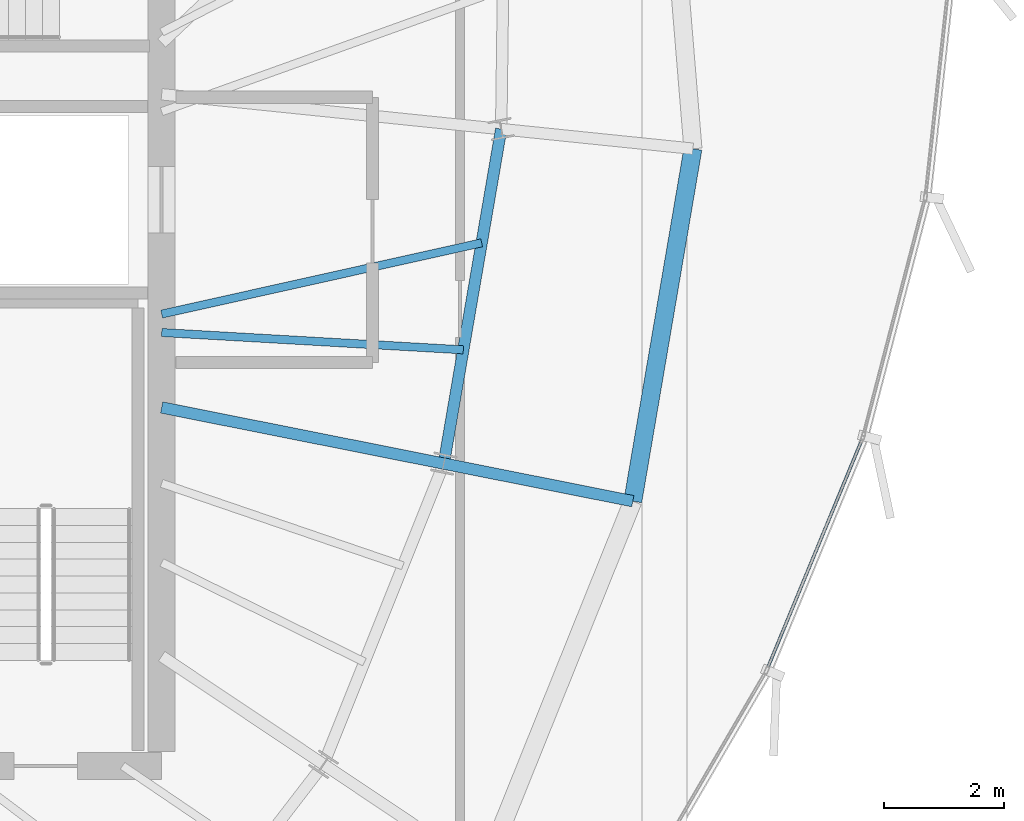
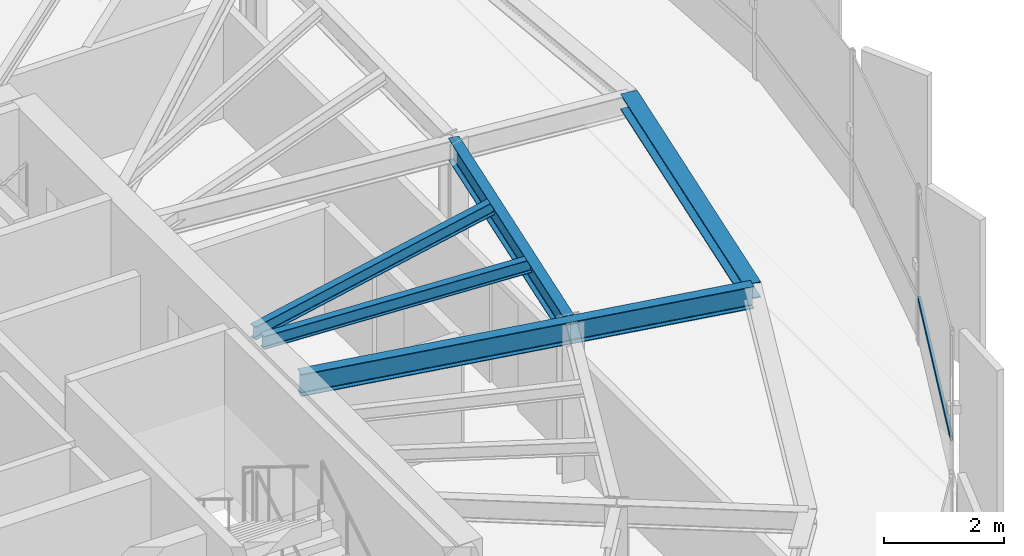
# One storey, part 15 of 36: 6 beams, 1 member, 1 element without a shape of its own.
"""IFC4 building model written with IfcOpenShell, lengths in metres."""

from ifc_helpers import new_model, si_unit, direction, frame, origin, origin_2d, place, context, subcontext, project, spatial, hollow_rectangle, i_section, extrude, source, transform, mapped, material, layer, layer_set, material_profile, profile_set, type_object, element, aggregate, save


model = new_model("IFC4")

# Units and contexts
model_context = context("Model", 3, precision=1e-05, world=origin(), true_north=direction((0.0, 1.0)))
body_context = subcontext(model_context, "Body", "Model", "MODEL_VIEW")
ifc_project = project(units=[si_unit("LENGTHUNIT", "METRE"), si_unit("AREAUNIT", "SQUARE_METRE"), si_unit("VOLUMEUNIT", "CUBIC_METRE"), si_unit("PLANEANGLEUNIT", "RADIAN"), si_unit("MASSUNIT", "GRAM", prefix="KILO"), si_unit("THERMODYNAMICTEMPERATUREUNIT", "KELVIN")], contexts=[model_context])

# Site, building, storey
site_placement = place(None, origin())
site = spatial("IfcSite", under=ifc_project, at=site_placement, CompositionType="ELEMENT")
building_placement = place(site_placement, origin())
building = spatial("IfcBuilding", under=site, at=building_placement, Name="Kethvar Cultural Tower", CompositionType="ELEMENT")
storey_placement = place(building_placement, frame((0.0, 0.0, 228.39990234375)))
storey = spatial("IfcBuildingStorey", under=building, at=storey_placement, Name="L59", CompositionType="ELEMENT", Elevation=228.39990234375)

# Beams
ifc_material_1 = material(Name="Steel S355J2", Category="steel")
ifc_material_profile_1 = material_profile(ifc_material_1, i_section(OverallWidth=0.18994140625, OverallDepth=0.449951171875, WebThickness=0.009521484375, FlangeThickness=0.0146484375, FilletRadius=0.02099609375, at=origin_2d()), Name="Steel S355J2 — IPE450")
ifc_profile_set_1 = profile_set([ifc_material_profile_1], Name="Steel S355J2 — IPE450")
beam_type_1 = type_object("IfcBeamType", Name="BM-IPE450", PredefinedType="BEAM", material=ifc_profile_set_1)
shared_shape_1 = source(origin(), body_context, "Body", "SweptSolid", [
    extrude(i_section(OverallWidth=0.18994140625, OverallDepth=0.449951171875, WebThickness=0.009521484375, FlangeThickness=0.0146484375, FilletRadius=0.02099609375, at=origin_2d()), origin(), (0.0, 0.0, 1.0), 3.199951171875),
])
beam_1_placement = place(storey_placement, frame((60.28369140625, 25.117919921875, 2.983154296875), z_axis=(0.980785550224, -0.195088965533, 0.0), x_axis=(0.195088965533, 0.980785550224, 0.0)))
element("IfcBeam", 1, at=beam_1_placement, inside=storey, type_object=beam_type_1, Name="L59 Perimeter Cantilever Beam RC-16", PredefinedType="BEAM", context=body_context, shape_type="MappedRepresentation", body=[
    mapped(shared_shape_1, transform((0.0, 0.0, 0.0), scale=1.0)),
])
shared_shape_2 = source(origin(), body_context, "Body", "SweptSolid", [
    extrude(i_section(OverallWidth=0.18994140625, OverallDepth=0.449951171875, WebThickness=0.009521484375, FlangeThickness=0.0146484375, FilletRadius=0.02099609375, at=origin_2d()), origin(), (0.0, 0.0, 1.0), 4.775390625),
])
beam_2_placement = place(storey_placement, frame((55.60009765625, 26.049560546875, 2.983154296875), z_axis=(0.980784643133, -0.195093525761, 0.0), x_axis=(0.195093525761, 0.980784643133, 0.0)))
element("IfcBeam", 2, at=beam_2_placement, inside=storey, type_object=beam_type_1, Name="L59 Primary Radial Beam RB-16", PredefinedType="BEAM", context=body_context, shape_type="MappedRepresentation", body=[
    mapped(shared_shape_2, transform((0.0, 0.0, 0.0), scale=1.0)),
])
shared_shape_3 = source(origin(), body_context, "Body", "SweptSolid", [
    extrude(i_section(OverallWidth=0.18994140625, OverallDepth=0.449951171875, WebThickness=0.009521484375, FlangeThickness=0.0146484375, FilletRadius=0.02099609375, at=origin_2d()), origin(), (0.0, 0.0, 1.0), 5.635009765625),
])
beam_3_placement = place(storey_placement, frame((60.28369140625, 25.117919921875, 2.983154296875), z_axis=(0.169188687614, 0.985583678834, 0.0), x_axis=(-0.985583678834, 0.169188687614, 0.0)))
element("IfcBeam", 3, at=beam_3_placement, inside=storey, type_object=beam_type_1, Name="L59 Column Ring Tie Beam CR-16", PredefinedType="BEAM", context=body_context, shape_type="MappedRepresentation", body=[
    mapped(shared_shape_3, transform((0.0, 0.0, 0.0), scale=1.0)),
])
ifc_material_profile_2 = material_profile(ifc_material_1, i_section(OverallWidth=0.300048828125, OverallDepth=0.320068359375, WebThickness=0.011474609375, FlangeThickness=0.0205078125, FilletRadius=0.027099609375, at=origin_2d()), Name="Steel S355J2 — HEB320")
ifc_profile_set_2 = profile_set([ifc_material_profile_2], Name="Steel S355J2 — HEB320")
beam_type_2 = type_object("IfcBeamType", Name="BM-SP320", PredefinedType="SPANDREL", material=ifc_profile_set_2)
shared_shape_4 = source(origin(), body_context, "Body", "SweptSolid", [
    extrude(i_section(OverallWidth=0.300048828125, OverallDepth=0.320068359375, WebThickness=0.011474609375, FlangeThickness=0.0205078125, FilletRadius=0.027099609375, at=origin_2d()), origin(), (0.0, 0.0, 1.0), 5.93603515625),
])
beam_4_placement = place(storey_placement, frame((63.422119140625, 24.49365234375, 3.048095703125), z_axis=(0.16817267321, 0.985757552335, 0.0), x_axis=(-0.985757552335, 0.16817267321, 0.0)))
element("IfcBeam", 4, at=beam_4_placement, inside=storey, type_object=beam_type_2, Name="L59 Perimeter Spandrel Beam SP-16", PredefinedType="SPANDREL", context=body_context, shape_type="MappedRepresentation", body=[
    mapped(shared_shape_4, transform((0.0, 0.0, 0.0), scale=1.0)),
])
ifc_material_profile_3 = material_profile(ifc_material_1, i_section(OverallWidth=0.135009765625, OverallDepth=0.27001953125, WebThickness=0.006591796875, FlangeThickness=0.01025390625, FilletRadius=0.014892578125, at=origin_2d()), Name="Steel S355J2 — IPE270")
ifc_profile_set_3 = profile_set([ifc_material_profile_3], Name="Steel S355J2 — IPE270")
beam_type_3 = type_object("IfcBeamType", Name="BM-J270", PredefinedType="JOIST", material=ifc_profile_set_3)
shared_shape_5 = source(origin(), body_context, "Body", "SweptSolid", [
    extrude(i_section(OverallWidth=0.135009765625, OverallDepth=0.27001953125, WebThickness=0.006591796875, FlangeThickness=0.01025390625, FilletRadius=0.014892578125, at=origin_2d()), origin(), (0.0, 0.0, 1.0), 5.01611328125),
])
beam_5_placement = place(storey_placement, frame((55.60009765625, 27.294189453125, 3.072998046875), z_axis=(0.998352190078, -0.057383835418, 0.0), x_axis=(0.057383835418, 0.998352190078, 0.0)))
element("IfcBeam", 5, at=beam_5_placement, inside=storey, type_object=beam_type_3, Name="L59 Composite Floor Joist J-16A", PredefinedType="JOIST", context=body_context, shape_type="MappedRepresentation", body=[
    mapped(shared_shape_5, transform((0.0, 0.0, 0.0), scale=1.0)),
])
shared_shape_6 = source(origin(), body_context, "Body", "SweptSolid", [
    extrude(i_section(OverallWidth=0.135009765625, OverallDepth=0.27001953125, WebThickness=0.006591796875, FlangeThickness=0.01025390625, FilletRadius=0.014892578125, at=origin_2d()), origin(), (0.0, 0.0, 1.0), 5.44287109375),
])
beam_6_placement = place(storey_placement, frame((55.60009765625, 27.60009765625, 3.072998046875), z_axis=(0.976080346759, 0.217410111702, 0.0), x_axis=(-0.217410111702, 0.976080346759, 0.0)))
element("IfcBeam", 6, at=beam_6_placement, inside=storey, type_object=beam_type_3, Name="L59 Composite Floor Joist J-16B", PredefinedType="JOIST", context=body_context, shape_type="MappedRepresentation", body=[
    mapped(shared_shape_6, transform((0.0, 0.0, 0.0), scale=1.0)),
])

# Curtain wall, member
ifc_material_2 = material(Name="Aluminium 6063-T6", Category="aluminium")
ifc_layer = layer(ifc_material_2, 0.179931640625, Name="Aluminium 6063-T6", Category="aluminium")
ifc_layer_set = layer_set([ifc_layer], Name="Aluminium 6063-T6 (180 mm)")
curtain_wall_type = type_object("IfcCurtainWallType", Name="CW-SYS-05-Z56", PredefinedType="NOTDEFINED", material=ifc_layer_set)
curtain_wall_placement = place(storey_placement, origin())
curtain_wall = element("IfcCurtainWall", 7, at=curtain_wall_placement, inside=storey, type_object=curtain_wall_type, Name="L59 Curtain Wall Run 05", PredefinedType="NOTDEFINED")
ifc_material_profile_4 = material_profile(ifc_material_2, hollow_rectangle(XDim=0.050048828125, YDim=0.10009765625, WallThickness=0.00390625, at=origin_2d()), Name="Aluminium 6063-T6 — RHS100x50x4")
ifc_profile_set_4 = profile_set([ifc_material_profile_4], Name="Aluminium 6063-T6 — RHS100x50x4")
member_type = type_object("IfcMemberType", Name="CW-SYS-05-Z56-TRN", PredefinedType="USERDEFINED", material=ifc_profile_set_4)
shared_shape_7 = source(origin(), body_context, "Body", "SweptSolid", [
    extrude(hollow_rectangle(XDim=0.050048828125, YDim=0.10009765625, WallThickness=0.00390625, at=origin_2d()), origin(), (0.0, 0.0, 1.0), 4.108154296875),
])
member_placement = place(storey_placement, frame((65.659912109375, 21.721923828125, 0.9501953125), z_axis=(0.381706075961, 0.924283761393, 0.0), x_axis=(-0.924283761393, 0.381706075961, 0.0)))
member = element("IfcMember", 8, at=member_placement, type_object=member_type, Name="CW-L59-R05 Transom 6", ObjectType="TRANSOM", PredefinedType="USERDEFINED", context=body_context, shape_type="MappedRepresentation", body=[
    mapped(shared_shape_7, transform((0.0, 0.0, 0.0), scale=1.0)),
])
aggregate(curtain_wall, [member])

save(model, "model.ifc")
